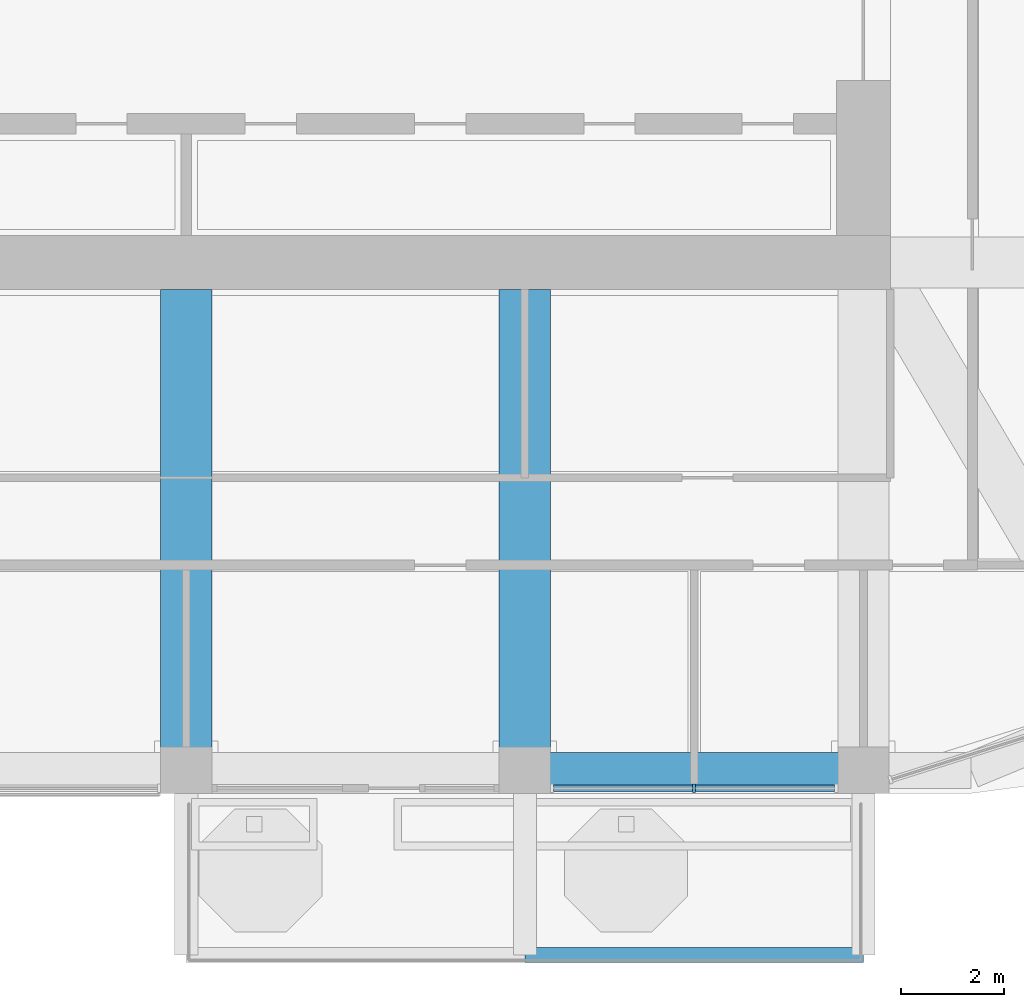
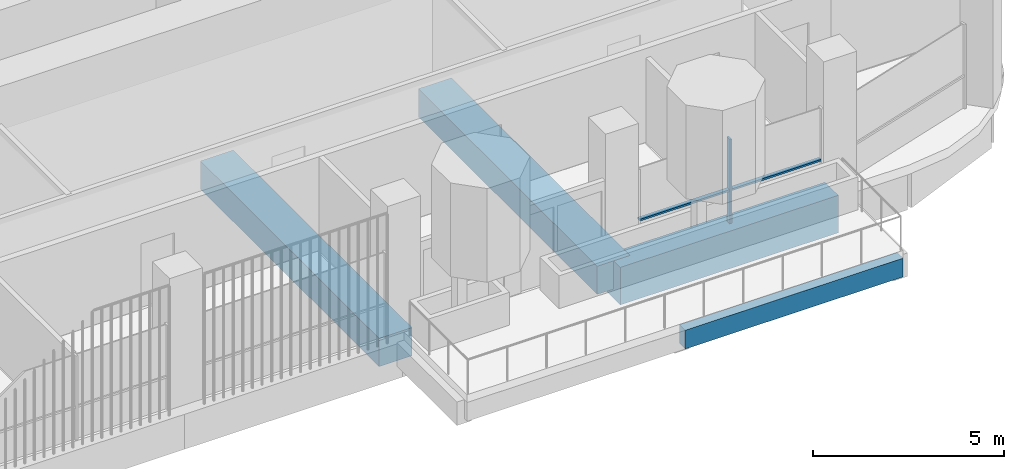
# One storey, part 3 of 21: 4 beams, 3 members, 1 element without a shape of its own.
"""IFC4 building model written with IfcOpenShell, lengths in metres."""

from ifc_helpers import new_model, si_unit, direction, frame, origin, origin_2d, place, context, subcontext, project, spatial, rectangle, extrude, material, material_profile, profile_set, type_object, element, aggregate, save


model = new_model("IFC4")

# Units and contexts
model_context = context("Model", 3, precision=1e-05, world=origin(), true_north=direction((0.0, 1.0)))
body_context = subcontext(model_context, "Body", "Model", "MODEL_VIEW")
ifc_project = project(units=[si_unit("LENGTHUNIT", "METRE"), si_unit("AREAUNIT", "SQUARE_METRE"), si_unit("VOLUMEUNIT", "CUBIC_METRE"), si_unit("PLANEANGLEUNIT", "RADIAN"), si_unit("MASSUNIT", "GRAM", prefix="KILO")], contexts=[model_context])

# Site, building, storey
site_placement = place(None, origin())
site = spatial("IfcSite", under=ifc_project, at=site_placement, CompositionType="ELEMENT")
building_placement = place(site_placement, origin())
building = spatial("IfcBuilding", under=site, at=building_placement, Name="Cobogo Forest Laboratory Tower", CompositionType="ELEMENT")
storey_placement = place(building_placement, frame((0.0, 0.0, 283.800048828125)))
storey = spatial("IfcBuildingStorey", under=building, at=storey_placement, Name="L65", CompositionType="ELEMENT", Elevation=283.800048828125)

# Beam
ifc_material_1 = material(Name="Concrete HA-40 (C40/50)", Category="concrete")
ifc_material_profile_1 = material_profile(ifc_material_1, rectangle(XDim=0.300048828125, YDim=0.60009765625, at=origin_2d()), Name="RC 300x600")
ifc_profile_set_1 = profile_set([ifc_material_profile_1], Name="Concrete HA-40 (C40/50)")
beam_type_1 = type_object("IfcBeamType", Name="Balcony edge beam 300x600", PredefinedType="BEAM", material=ifc_profile_set_1)
beam_1_placement = place(storey_placement, frame((33.0, -0.300048828125, -0.550048828125), z_axis=(1.0, 0.0, 0.0), x_axis=(0.0, 1.0, 0.0)))
element("IfcBeam", 1, at=beam_1_placement, inside=storey, type_object=beam_type_1, Name="BB1 BAL-S1-T2 L65", PredefinedType="BEAM", context=body_context, shape_type="SweptSolid", body=[
    extrude(rectangle(XDim=0.300048828125, YDim=0.60009765625, at=origin_2d()), origin(), (0.0, 0.0, 1.0), 6.60009765625),
])

# Curtain wall, member
ifc_material_2 = material(Name="Aluminium curtain wall", Category="aluminium")
curtain_wall_type = type_object("IfcCurtainWallType", Name="CW-2 unitised curtain wall, solar control glazing, laboratory floors zones C and D", PredefinedType="USERDEFINED", material=ifc_material_2)
curtain_wall_placement = place(storey_placement, origin())
curtain_wall = element("IfcCurtainWall", 2, at=curtain_wall_placement, inside=storey, type_object=curtain_wall_type, Name="Curtain wall 04 L65", ObjectType="UNITISED CURTAIN WALL", PredefinedType="USERDEFINED")
ifc_material_3 = material(Name="Aluminium mullion", Category="aluminium")
ifc_material_profile_2 = material_profile(ifc_material_3, rectangle(XDim=0.06005859375, YDim=0.159912109375, at=origin_2d()), Name="AL 60x160")
ifc_profile_set_2 = profile_set([ifc_material_profile_2], Name="Aluminium mullion")
member_type_1 = type_object("IfcMemberType", Name="MU-1 aluminium mullion 60x160", PredefinedType="MULLION", material=ifc_profile_set_2)
member_1_placement = place(storey_placement, frame((36.300048828125, 2.949951171875, 0.0), z_axis=(0.0, 0.0, 1.0), x_axis=(1.0, 0.0, 0.0)))
member_1 = element("IfcMember", 3, at=member_1_placement, type_object=member_type_1, Name="CW-2 mullion 2", PredefinedType="MULLION", context=body_context, shape_type="SweptSolid", body=[
    extrude(rectangle(XDim=0.06005859375, YDim=0.159912109375, at=origin_2d()), origin(), (0.0, 0.0, 1.0), 2.699951171875),
])

# Beams
ifc_material_profile_3 = material_profile(ifc_material_1, rectangle(XDim=1.0, YDim=0.89990234375, at=origin_2d()), Name="RC 1000x900")
ifc_profile_set_3 = profile_set([ifc_material_profile_3], Name="Concrete HA-40 (C40/50)")
beam_type_2 = type_object("IfcBeamType", Name="Office floor wide beam 1000x900", PredefinedType="BEAM", material=ifc_profile_set_3)
for number, where, z_axis, x_axis, name in (
    (4, (26.39990234375, 12.675048828125, -0.75), (0.0, -1.0, 0.0), (1.0, 0.0, 0.0), "RB2 R-5-S L65"),
    (5, (33.0, 12.675048828125, -0.75), (0.0, -1.0, 0.0), (1.0, 0.0, 0.0), "RB2 R-6-S L65"),
):
    element("IfcBeam", number, at=place(storey_placement, frame(where, z_axis=z_axis, x_axis=x_axis)), inside=storey, type_object=beam_type_2, Name=name, PredefinedType="BEAM", context=body_context, shape_type="SweptSolid", body=[
        extrude(rectangle(XDim=1.0, YDim=0.89990234375, at=origin_2d()), origin(), (0.0, 0.0, 1.0), 9.375),
    ])
ifc_material_profile_4 = material_profile(ifc_material_1, rectangle(XDim=0.699951171875, YDim=1.199951171875, at=origin_2d()), Name="RC 700x1200")
ifc_profile_set_4 = profile_set([ifc_material_profile_4], Name="Concrete HA-40 (C40/50)")
beam_type_3 = type_object("IfcBeamType", Name="Perimeter edge beam 700x1200", PredefinedType="BEAM", material=ifc_profile_set_4)
beam_2_placement = place(storey_placement, frame((33.0, 3.300048828125, -0.900146484375), z_axis=(1.0, 0.0, 0.0), x_axis=(0.0, 1.0, 0.0)))
element("IfcBeam", 6, at=beam_2_placement, inside=storey, type_object=beam_type_3, Name="EB1 E-S4 L65", PredefinedType="BEAM", context=body_context, shape_type="SweptSolid", body=[
    extrude(rectangle(XDim=0.699951171875, YDim=1.199951171875, at=origin_2d()), origin(), (0.0, 0.0, 1.0), 6.60009765625),
])

# Member
ifc_material_4 = material(Name="Aluminium transom", Category="aluminium")
ifc_material_profile_5 = material_profile(ifc_material_4, rectangle(XDim=0.1201171875, YDim=0.06005859375, at=origin_2d()), Name="AL 60x120")
ifc_profile_set_5 = profile_set([ifc_material_profile_5], Name="Aluminium transom")
member_type_2 = type_object("IfcMemberType", Name="TR-1 aluminium transom 60x120", PredefinedType="USERDEFINED", material=ifc_profile_set_5)
member_2_placement = place(storey_placement, frame((33.56005859375, 2.949951171875, 1.050048828125), z_axis=(1.0, 0.0, 0.0), x_axis=(0.0, 1.0, 0.0)))
member_2 = element("IfcMember", 7, at=member_2_placement, type_object=member_type_2, Name="CW-2 transom 1.1", ObjectType="TRANSOM", PredefinedType="USERDEFINED", context=body_context, shape_type="SweptSolid", body=[
    extrude(rectangle(XDim=0.1201171875, YDim=0.06005859375, at=origin_2d()), origin(), (0.0, 0.0, 1.0), 2.7099609375),
])

member_3_placement = place(storey_placement, frame((36.330078125, 2.949951171875, 1.050048828125), z_axis=(1.0, 0.0, 0.0), x_axis=(0.0, 1.0, 0.0)))
member_3 = element("IfcMember", 8, at=member_3_placement, type_object=member_type_2, Name="CW-2 transom 2.1", ObjectType="TRANSOM", PredefinedType="USERDEFINED", context=body_context, shape_type="SweptSolid", body=[
    extrude(rectangle(XDim=0.1201171875, YDim=0.06005859375, at=origin_2d()), origin(), (0.0, 0.0, 1.0), 2.7099609375),
])

aggregate(curtain_wall, [member_1, member_2, member_3])

save(model, "model.ifc")
